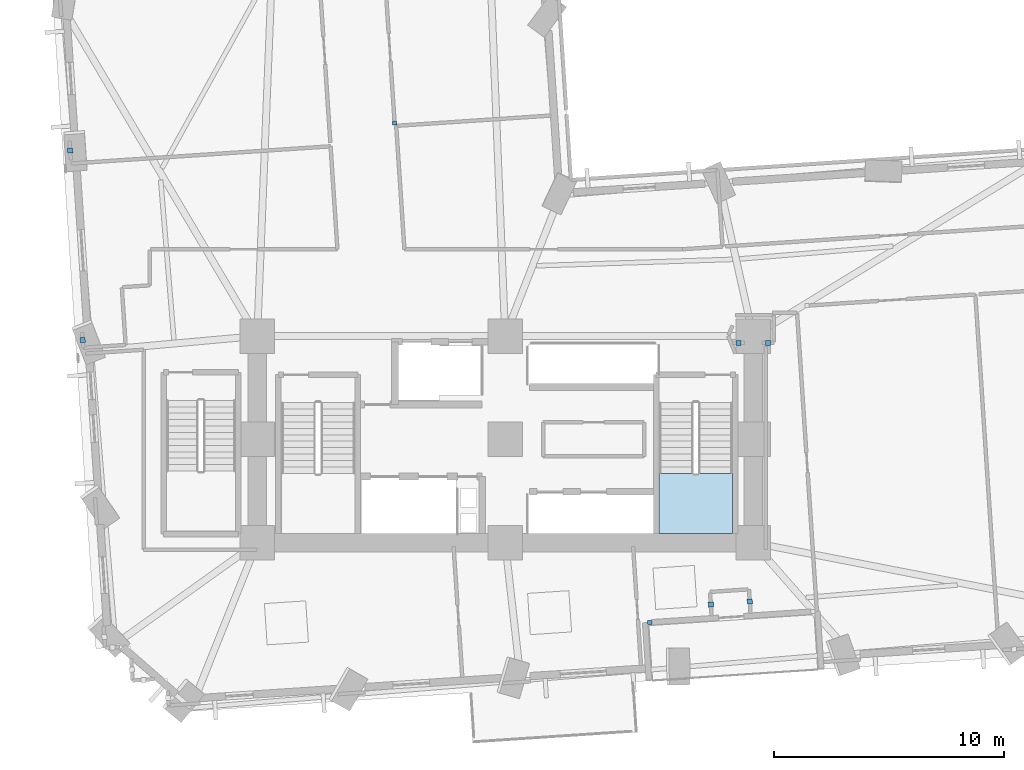
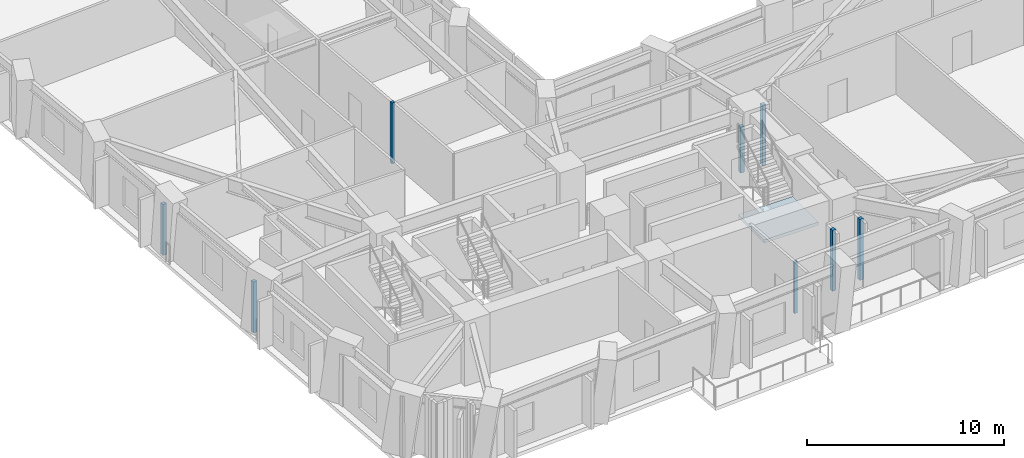
# One storey, part 3 of 14: 8 plates, 1 slab, 1 element without a shape of its own.
"""IFC4 building model written with IfcOpenShell, lengths in metres."""

from ifc_helpers import new_model, si_unit, direction, frame, origin, origin_2d, place, context, subcontext, project, spatial, polyline, rectangle, outline, extrude, material, layer, layer_set, type_object, element, aggregate, save


model = new_model("IFC4")

# Units and contexts
model_context = context("Model", 3, precision=1e-05, world=origin(), true_north=direction((0.0, 1.0)))
body_context = subcontext(model_context, "Body", "Model", "MODEL_VIEW")
ifc_project = project(units=[si_unit("LENGTHUNIT", "METRE"), si_unit("AREAUNIT", "SQUARE_METRE"), si_unit("VOLUMEUNIT", "CUBIC_METRE"), si_unit("PLANEANGLEUNIT", "RADIAN"), si_unit("MASSUNIT", "GRAM", prefix="KILO")], contexts=[model_context])

# Site, building, storey
site_placement = place(None, origin())
site = spatial("IfcSite", under=ifc_project, at=site_placement, CompositionType="ELEMENT")
building_placement = place(site_placement, origin())
building = spatial("IfcBuilding", under=site, at=building_placement, Name="Gaonmaruhae Medical Tower", CompositionType="ELEMENT")
storey_placement = place(building_placement, frame((0.0, 0.0, 39.0)))
storey = spatial("IfcBuildingStorey", under=building, at=storey_placement, Name="L08", CompositionType="ELEMENT", Elevation=39.0)

# Plates
ifc_material_1 = material(Name="Anodised aluminium 6063-T6", Category="aluminium")
ifc_layer_1 = layer(ifc_material_1, 0.011962890625)
ifc_layer_set_1 = layer_set([ifc_layer_1], Name="Anodised aluminium 6063-T6")
plate_type = type_object("IfcPlateType", Name="PP-01 Interior Partition Corner Stiffener Plate", PredefinedType="SHEET", material=ifc_layer_set_1)
plate_1_placement = place(storey_placement, frame((31.09423828125, 4.328857421875, 0.0), z_axis=(0.0, 0.0, 1.0), x_axis=(-0.997801468292, -0.0662739004, 0.0)))
element("IfcPlate", 1, at=plate_1_placement, inside=storey, type_object=plate_type, Name="L08 Partition End Jamb Post Plate PLT-L08-ENDP-TERB-1", PredefinedType="SHEET", context=body_context, shape_type="SweptSolid", body=[
    extrude(rectangle(XDim=0.179931640625, YDim=0.179931640625, at=origin_2d()), origin(), (0.0, 0.0, 1.0), 3.1650390625),
])
plate_2_placement = place(storey_placement, frame((19.9853515625, 26.080078125, 0.0), z_axis=(0.0, 0.0, 1.0), x_axis=(-0.066256485469, 0.997802624838, 0.0)))
element("IfcPlate", 2, at=plate_2_placement, inside=storey, type_object=plate_type, Name="L08 Partition End Jamb Post Plate PLT-L08-ENDP-PW082-0", PredefinedType="SHEET", context=body_context, shape_type="SweptSolid", body=[
    extrude(rectangle(XDim=0.179931640625, YDim=0.179931640625, at=origin_2d()), origin(), (0.0, 0.0, 1.0), 3.780029296875),
])
plate_3_placement = place(storey_placement, frame((34.96240234375, 16.5, 0.0), z_axis=(0.0, 0.0, 1.0), x_axis=(1.0, 0.0, 0.0)))
element("IfcPlate", 3, at=plate_3_placement, inside=storey, type_object=plate_type, Name="L08 Partition Corner Stiffener Plate PLT-L08-JGP-PW023", PredefinedType="SHEET", context=body_context, shape_type="SweptSolid", body=[
    extrude(rectangle(XDim=0.219970703125, YDim=0.219970703125, at=origin_2d()), origin(), (0.0, 0.0, 1.0), 2.864990234375),
])
for number, where, z_axis, x_axis, name in (
    (4, (36.237548828125, 16.5, 0.0), (0.0, 0.0, 1.0), (1.0, 0.0, 0.0), "L08 Partition Corner Stiffener Plate PLT-L08-JGP-PW024"),
    (5, (35.452880859375, 5.242431640625, 0.0), (0.0, 0.0, 1.0), (-0.066326145072, 0.997797996831, 0.0), "L08 Partition Corner Stiffener Plate PLT-L08-JGP-PW029"),
    (6, (33.758544921875, 5.1044921875, 0.0), (0.0, 0.0, 1.0), (0.066657023765, -0.997775947386, 0.0), "L08 Partition Corner Stiffener Plate PLT-L08-JGP-PW031"),
):
    element("IfcPlate", number, at=place(storey_placement, frame(where, z_axis=z_axis, x_axis=x_axis)), inside=storey, type_object=plate_type, Name=name, PredefinedType="SHEET", context=body_context, shape_type="SweptSolid", body=[
        extrude(rectangle(XDim=0.219970703125, YDim=0.219970703125, at=origin_2d()), origin(), (0.0, 0.0, 1.0), 3.780029296875),
    ])
for number, where, z_axis, x_axis, name in (
    (7, (6.402099609375, 16.62353515625, 0.0), (0.0, 0.0, 1.0), (-0.065821105648, 0.997831439699, 0.0), "L08 Partition Corner Stiffener Plate PLT-L08-JGP-PW047"),
    (8, (5.85400390625, 24.881103515625, 0.0), (0.0, 0.0, 1.0), (-0.06587335189, 0.997827991946, 0.0), "L08 Partition Corner Stiffener Plate PLT-L08-JGP-PW053"),
):
    element("IfcPlate", number, at=place(storey_placement, frame(where, z_axis=z_axis, x_axis=x_axis)), inside=storey, type_object=plate_type, Name=name, PredefinedType="SHEET", context=body_context, shape_type="SweptSolid", body=[
        extrude(rectangle(XDim=0.219970703125, YDim=0.219970703125, at=origin_2d()), origin(), (0.0, 0.0, 1.0), 3.1650390625),
    ])

# Stair, slab
ifc_material_2 = material(Name="Concrete C40/50", Category="concrete")
stair_type = type_object("IfcStairType", Name="ST-T1 Primary Core Escape Dogleg Stair", PredefinedType="TWO_QUARTER_TURN_STAIR", material=ifc_material_2)
stair_placement = place(storey_placement, origin())
stair = element("IfcStair", 9, at=stair_placement, inside=storey, type_object=stair_type, Name="L08 Protected Escape Stair ST-02", PredefinedType="TWO_QUARTER_TURN_STAIR")
ifc_layer_2 = layer(ifc_material_2, 0.199951171875)
ifc_layer_set_2 = layer_set([ifc_layer_2], Name="Concrete C40/50")
slab_type = type_object("IfcSlabType", Name="SL-200 Stair & Ramp Intermediate Concrete Landing", PredefinedType="LANDING", material=ifc_layer_set_2)
slab_placement = place(storey_placement, frame((0.0, 0.0, 1.800048828125)))
slab = element("IfcSlab", 10, at=slab_placement, type_object=slab_type, Name="ST-02 landing 1", PredefinedType="LANDING", context=body_context, shape_type="SweptSolid", body=[
    extrude(outline(polyline([(31.5, 10.820068359375), (31.5, 8.2041015625), (34.699951171875, 8.2041015625), (34.699951171875, 10.820068359375), (31.5, 10.820068359375)])), origin(), (0.0, 0.0, 1.0), 0.199951171875),
])
aggregate(stair, [slab])

save(model, "model.ifc")
